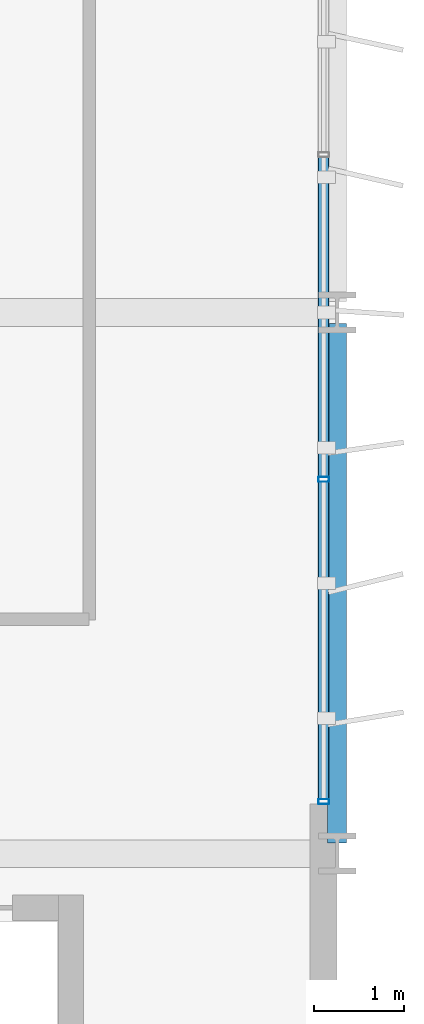
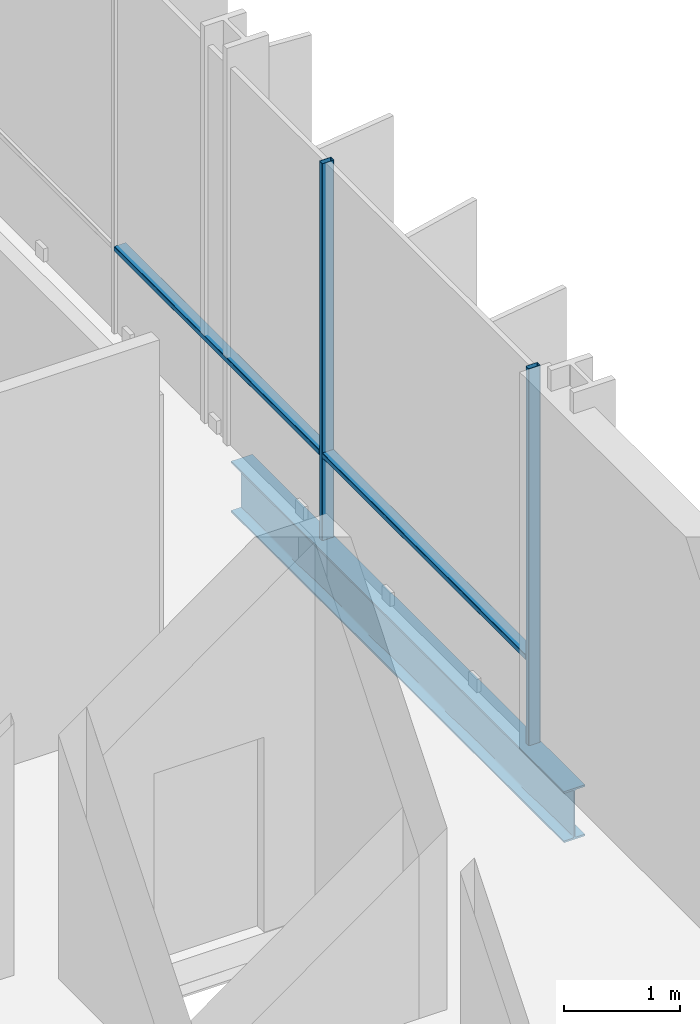
# One storey, part 17 of 32: 4 members, 1 beam, 1 element without a shape of its own.
"""IFC4 building model written with IfcOpenShell, lengths in metres."""

from ifc_helpers import new_model, si_unit, direction, frame, origin, origin_2d, place, context, subcontext, project, spatial, hollow_rectangle, i_section, extrude, material, layer, layer_set, material_profile, profile_set, type_object, element, aggregate, save


model = new_model("IFC4")

# Units and contexts
model_context = context("Model", 3, precision=1e-05, world=origin(), true_north=direction((0.0, 1.0)))
body_context = subcontext(model_context, "Body", "Model", "MODEL_VIEW")
ifc_project = project(units=[si_unit("LENGTHUNIT", "METRE"), si_unit("AREAUNIT", "SQUARE_METRE"), si_unit("VOLUMEUNIT", "CUBIC_METRE"), si_unit("PLANEANGLEUNIT", "RADIAN"), si_unit("MASSUNIT", "GRAM", prefix="KILO")], contexts=[model_context])

# Site, building, storey
site_placement = place(None, origin())
site = spatial("IfcSite", under=ifc_project, at=site_placement, CompositionType="ELEMENT")
building_placement = place(site_placement, origin())
building = spatial("IfcBuilding", under=site, at=building_placement, Name="Brevholm Reach", CompositionType="ELEMENT")
storey_placement = place(building_placement, frame((0.0, 0.0, 96.199951171875)))
storey = spatial("IfcBuildingStorey", under=building, at=storey_placement, Name="L28", CompositionType="ELEMENT", Elevation=96.199951171875)

# Beam
ifc_material_1 = material(Name="Structural Steel S355J2", Category="steel")
ifc_material_profile_1 = material_profile(ifc_material_1, i_section(OverallWidth=0.210693359375, OverallDepth=0.53955078125, WebThickness=0.01171875, FlangeThickness=0.018798828125, FilletRadius=0.0126953125, at=origin_2d()), Name="UKB 533x210x109")
ifc_profile_set_1 = profile_set([ifc_material_profile_1], Name="Structural Steel S355J2")
beam_type = type_object("IfcBeamType", Name="BM-SP539", PredefinedType="SPANDREL", material=ifc_profile_set_1)
beam_placement = place(storey_placement, frame((60.0, 10.1201171875, -0.52978515625), z_axis=(0.0, 1.0, 0.0), x_axis=(-1.0, 0.0, 0.0)))
element("IfcBeam", 1, at=beam_placement, inside=storey, type_object=beam_type, Name="L28 SP-01B Framing Beam", PredefinedType="SPANDREL", context=body_context, shape_type="SweptSolid", body=[
    extrude(i_section(OverallWidth=0.210693359375, OverallDepth=0.53955078125, WebThickness=0.01171875, FlangeThickness=0.018798828125, FilletRadius=0.0126953125, at=origin_2d()), origin(), (0.0, 0.0, 1.0), 5.759765625),
])

# Curtain wall, members
ifc_material_2 = material(Name="Dark Anodised Aluminium 6063-T6 and Solar-Control Glass", Category="aluminium")
ifc_layer = layer(ifc_material_2, 0.1201171875)
ifc_layer_set = layer_set([ifc_layer], Name="Dark Anodised Aluminium 6063-T6 and Solar-Control Glass")
curtain_wall_type = type_object("IfcCurtainWallType", Name="CW-06", PredefinedType="NOTDEFINED", material=ifc_layer_set)
curtain_wall_placement = place(storey_placement, origin())
curtain_wall = element("IfcCurtainWall", 2, at=curtain_wall_placement, inside=storey, type_object=curtain_wall_type, Name="L28 Curtain Wall CW-06", PredefinedType="NOTDEFINED")
ifc_material_3 = material(Name="Dark Anodised Aluminium 6063-T6", Category="aluminium")
ifc_material_profile_2 = material_profile(ifc_material_3, hollow_rectangle(XDim=0.054931640625, YDim=0.1201171875, WallThickness=0.00390625, InnerFilletRadius=0.00390625, OuterFilletRadius=0.008056640625, at=origin_2d()), Name="RHS 120x55x4")
ifc_profile_set_2 = profile_set([ifc_material_profile_2], Name="Dark Anodised Aluminium 6063-T6")
member_type_1 = type_object("IfcMemberType", Name="CWM-120", PredefinedType="MULLION", material=ifc_profile_set_2)
member_1_placement = place(storey_placement, frame((59.85009765625, 10.577392578125, 0.0), z_axis=(0.0, 0.0, 1.0), x_axis=(0.0, 1.0, 0.0)))
member_1 = element("IfcMember", 3, at=member_1_placement, type_object=member_type_1, Name="CM-120 Mullion 1", PredefinedType="MULLION", context=body_context, shape_type="SweptSolid", body=[
    extrude(hollow_rectangle(XDim=0.054931640625, YDim=0.1201171875, WallThickness=0.00390625, InnerFilletRadius=0.00390625, OuterFilletRadius=0.008056640625, at=origin_2d()), origin(), (0.0, 0.0, 1.0), 3.97998046875),
])
member_2_placement = place(storey_placement, frame((59.85009765625, 14.14990234375, 0.0), z_axis=(0.0, 0.0, 1.0), x_axis=(0.0, 1.0, 0.0)))
member_2 = element("IfcMember", 4, at=member_2_placement, type_object=member_type_1, Name="CM-120 Mullion 2", PredefinedType="MULLION", context=body_context, shape_type="SweptSolid", body=[
    extrude(hollow_rectangle(XDim=0.054931640625, YDim=0.1201171875, WallThickness=0.00390625, InnerFilletRadius=0.00390625, OuterFilletRadius=0.008056640625, at=origin_2d()), origin(), (0.0, 0.0, 1.0), 3.97998046875),
])
ifc_material_4 = material(Name="Dark Anodised Aluminium 6063-T6", Category="aluminium")
ifc_material_profile_3 = material_profile(ifc_material_4, hollow_rectangle(XDim=0.054931640625, YDim=0.1201171875, WallThickness=0.00390625, InnerFilletRadius=0.00390625, OuterFilletRadius=0.008056640625, at=origin_2d()), Name="RHS 120x55x4")
ifc_profile_set_3 = profile_set([ifc_material_profile_3], Name="Dark Anodised Aluminium 6063-T6")
member_type_2 = type_object("IfcMemberType", Name="CWT-120", PredefinedType="NOTDEFINED", material=ifc_profile_set_3)
member_3_placement = place(storey_placement, frame((59.85009765625, 10.60498046875, 0.900146484375), z_axis=(0.0, 1.0, 0.0), x_axis=(0.0, 0.0, 1.0)))
member_3 = element("IfcMember", 5, at=member_3_placement, type_object=member_type_2, Name="CT-120 Transom 1.1", ObjectType="TRANSOM", PredefinedType="USERDEFINED", context=body_context, shape_type="SweptSolid", body=[
    extrude(hollow_rectangle(XDim=0.054931640625, YDim=0.1201171875, WallThickness=0.00390625, InnerFilletRadius=0.00390625, OuterFilletRadius=0.008056640625, at=origin_2d()), origin(), (0.0, 0.0, 1.0), 3.517578125),
])
member_4_placement = place(storey_placement, frame((59.85009765625, 14.177490234375, 0.900146484375), z_axis=(0.0, 1.0, 0.0), x_axis=(0.0, 0.0, 1.0)))
member_4 = element("IfcMember", 6, at=member_4_placement, type_object=member_type_2, Name="CT-120 Transom 2.1", ObjectType="TRANSOM", PredefinedType="USERDEFINED", context=body_context, shape_type="SweptSolid", body=[
    extrude(hollow_rectangle(XDim=0.054931640625, YDim=0.1201171875, WallThickness=0.00390625, InnerFilletRadius=0.00390625, OuterFilletRadius=0.008056640625, at=origin_2d()), origin(), (0.0, 0.0, 1.0), 3.544921875),
])
aggregate(curtain_wall, [member_1, member_2, member_3, member_4])

save(model, "model.ifc")
